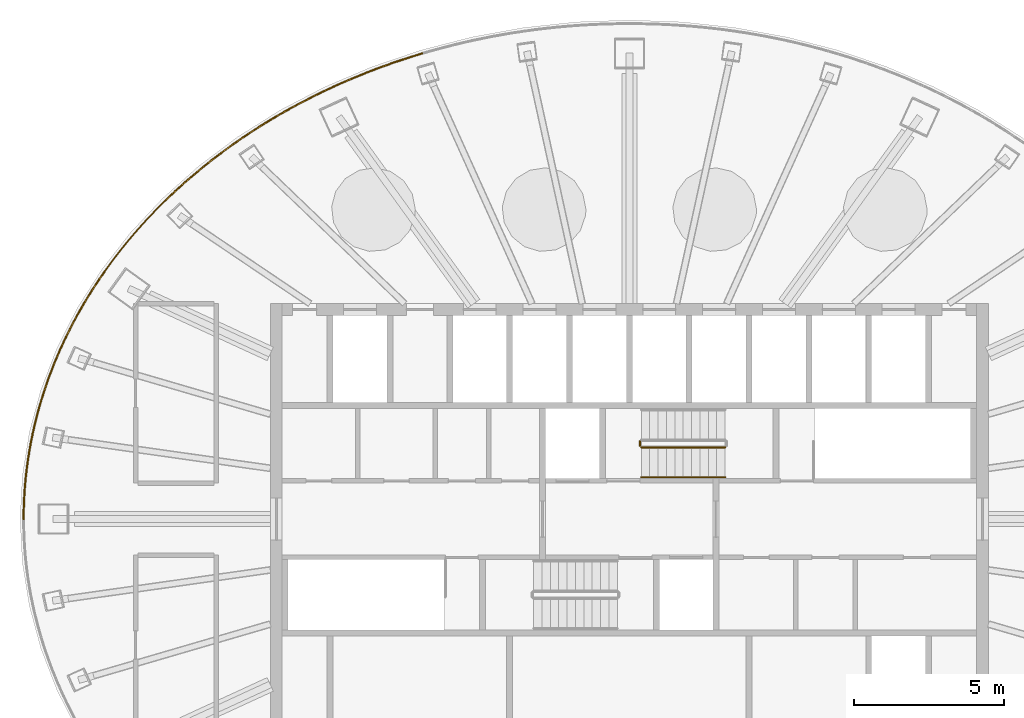
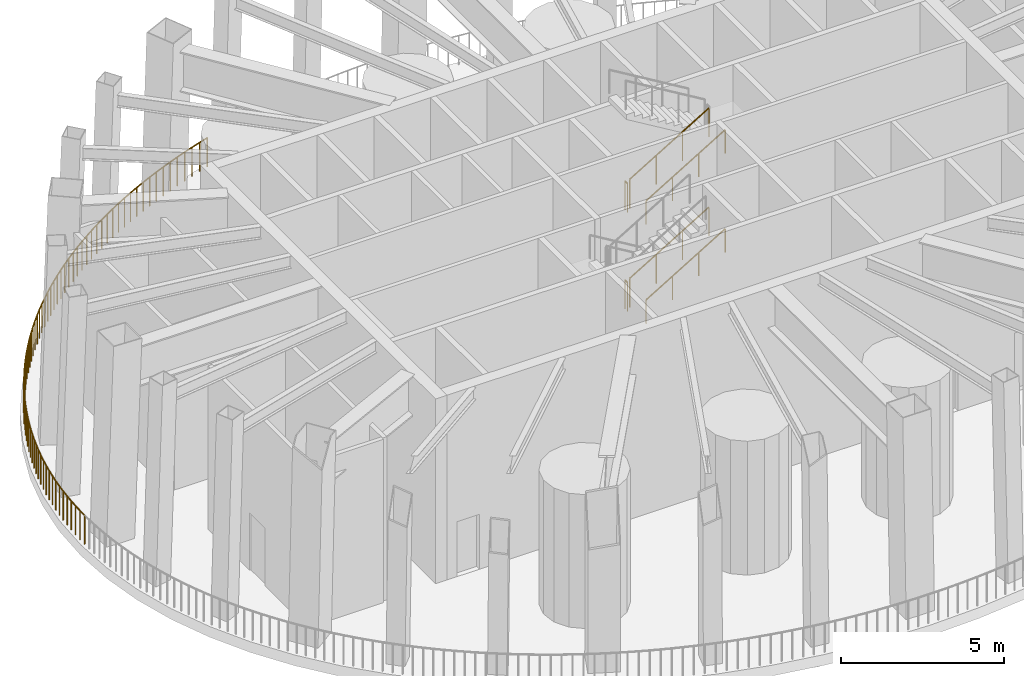
# One storey, part 8 of 12: 13 railings.
"""IFC4 building model written with IfcOpenShell, lengths in metres."""

from ifc_helpers import new_model, si_unit, direction, frame, origin, origin_2d, place, context, subcontext, project, spatial, circle, extrude, material, type_object, element, save


model = new_model("IFC4")

# Units and contexts
model_context = context("Model", 3, precision=1e-05, world=origin(), true_north=direction((0.0, 1.0)))
body_context = subcontext(model_context, "Body", "Model", "MODEL_VIEW")
ifc_project = project(units=[si_unit("LENGTHUNIT", "METRE"), si_unit("AREAUNIT", "SQUARE_METRE"), si_unit("VOLUMEUNIT", "CUBIC_METRE"), si_unit("PLANEANGLEUNIT", "RADIAN"), si_unit("MASSUNIT", "GRAM", prefix="KILO")], contexts=[model_context])

# Site, building, storey
site_placement = place(None, origin())
site = spatial("IfcSite", under=ifc_project, at=site_placement, CompositionType="ELEMENT")
building_placement = place(site_placement, origin())
building = spatial("IfcBuilding", under=site, at=building_placement, Name="Siaravel Broadcast Tower", CompositionType="ELEMENT")
storey_placement = place(building_placement, frame((0.0, 0.0, 265.199951171875)))
storey = spatial("IfcBuildingStorey", under=building, at=storey_placement, Name="L65", CompositionType="ELEMENT", Elevation=265.199951171875)

# Railings
ifc_material_1 = material(Name="Steel S355", Category="steel")
railing_type_1 = type_object("IfcRailingType", Name="Guard 1100", PredefinedType="GUARDRAIL", material=ifc_material_1)
railing_1_placement = place(storey_placement, frame((-6.923583984375, 15.561279296875, 0.0)))
element("IfcRailing", 1, at=railing_1_placement, inside=storey, type_object=railing_type_1, Name="L65 turbine slot guard 12", PredefinedType="GUARDRAIL", context=body_context, shape_type="SweptSolid", body=[
    extrude(circle(Radius=0.02392578125, at=origin_2d()), frame((0.0, 0.0, 1.076171875), z_axis=(-0.956417251, -0.292003497, 0.0), x_axis=(0.292003497, -0.956417251, 0.0)), (0.0, 0.0, 1.0), 0.34619140625),
    extrude(circle(Radius=0.02392578125, at=origin_2d()), frame((-0.3310546875, -0.10107421875, 1.076171875), z_axis=(-0.951748596, -0.306878819, 0.0), x_axis=(0.306878819, -0.951748596, 0.0)), (0.0, 0.0, 1.0), 0.34521484375),
    extrude(circle(Radius=0.02392578125, at=origin_2d()), frame((-0.65966796875, -0.20703125, 1.076171875), z_axis=(-0.9471862, -0.320684117, 0.0), x_axis=(0.320684117, -0.9471862, 0.0)), (0.0, 0.0, 1.0), 0.344970703125),
    extrude(circle(Radius=0.02392578125, at=origin_2d()), frame((-0.986328125, -0.317626953125, 1.076171875), z_axis=(-0.942174841, -0.335121722, 0.0), x_axis=(0.335121722, -0.942174841, 0.0)), (0.0, 0.0, 1.0), 0.34375),
    extrude(circle(Radius=0.02392578125, at=origin_2d()), frame((-1.310302734375, -0.432861328125, 1.076171875), z_axis=(-0.936999941, -0.349329515, 0.0), x_axis=(0.349329515, -0.936999941, 0.0)), (0.0, 0.0, 1.0), 0.34326171875),
    extrude(circle(Radius=0.02392578125, at=origin_2d()), frame((-1.6318359375, -0.552734375, 1.076171875), z_axis=(-0.931495114, -0.363753835, 0.0), x_axis=(0.363753835, -0.931495114, 0.0)), (0.0, 0.0, 1.0), 0.34228515625),
    extrude(circle(Radius=0.02392578125, at=origin_2d()), frame((-1.95068359375, -0.67724609375, 1.076171875), z_axis=(-0.925990537, -0.377546721, 0.0), x_axis=(0.377546721, -0.925990537, 0.0)), (0.0, 0.0, 1.0), 0.341552734375),
    extrude(circle(Radius=0.02392578125, at=origin_2d()), frame((-2.266845703125, -0.80615234375, 1.076171875), z_axis=(-0.919885104, -0.392187959, 0.0), x_axis=(0.392187959, -0.919885104, 0.0)), (0.0, 0.0, 1.0), 0.340576171875),
    extrude(circle(Radius=0.02392578125, at=origin_2d()), frame((-2.580078125, -0.939697265625, 1.076171875), z_axis=(-0.91390041, -0.405938468, 0.0), x_axis=(0.405938468, -0.91390041, 0.0)), (0.0, 0.0, 1.0), 0.33984375),
    extrude(circle(Radius=0.02392578125, at=origin_2d()), frame((-2.890625, -1.07763671875, 1.076171875), z_axis=(-0.907431283, -0.420200507, 0.0), x_axis=(0.420200507, -0.907431283, 0.0)), (0.0, 0.0, 1.0), 0.338623046875),
    extrude(circle(Radius=0.02099609375, at=origin_2d()), origin(), (0.0, 0.0, 1.0), 1.052001953125),
    extrude(circle(Radius=0.02099609375, at=origin_2d()), frame((-0.3310546875, -0.10107421875, 0.0)), (0.0, 0.0, 1.0), 1.052001953125),
    extrude(circle(Radius=0.02099609375, at=origin_2d()), frame((-0.65966796875, -0.20703125, 0.0)), (0.0, 0.0, 1.0), 1.052001953125),
    extrude(circle(Radius=0.02099609375, at=origin_2d()), frame((-0.986328125, -0.317626953125, 0.0)), (0.0, 0.0, 1.0), 1.052001953125),
    extrude(circle(Radius=0.02099609375, at=origin_2d()), frame((-1.310302734375, -0.432861328125, 0.0)), (0.0, 0.0, 1.0), 1.052001953125),
    extrude(circle(Radius=0.02099609375, at=origin_2d()), frame((-1.6318359375, -0.552734375, 0.0)), (0.0, 0.0, 1.0), 1.052001953125),
    extrude(circle(Radius=0.02099609375, at=origin_2d()), frame((-1.95068359375, -0.67724609375, 0.0)), (0.0, 0.0, 1.0), 1.052001953125),
    extrude(circle(Radius=0.02099609375, at=origin_2d()), frame((-2.266845703125, -0.80615234375, 0.0)), (0.0, 0.0, 1.0), 1.052001953125),
    extrude(circle(Radius=0.02099609375, at=origin_2d()), frame((-2.580078125, -0.939697265625, 0.0)), (0.0, 0.0, 1.0), 1.052001953125),
    extrude(circle(Radius=0.02099609375, at=origin_2d()), frame((-2.890625, -1.07763671875, 0.0)), (0.0, 0.0, 1.0), 1.052001953125),
    extrude(circle(Radius=0.02099609375, at=origin_2d()), frame((-3.197998046875, -1.219970703125, 0.0)), (0.0, 0.0, 1.0), 1.052001953125),
])
railing_2_placement = place(storey_placement, frame((-10.12158203125, 14.34130859375, 0.0)))
element("IfcRailing", 2, at=railing_2_placement, inside=storey, type_object=railing_type_1, Name="L65 turbine slot guard 13", PredefinedType="GUARDRAIL", context=body_context, shape_type="SweptSolid", body=[
    extrude(circle(Radius=0.02392578125, at=origin_2d()), frame((0.0, 0.0, 1.076171875), z_axis=(-0.900970314, -0.433880736, 0.0), x_axis=(0.433880736, -0.900970314, 0.0)), (0.0, 0.0, 1.0), 0.338134765625),
    extrude(circle(Radius=0.02392578125, at=origin_2d()), frame((-0.3046875, -0.146728515625, 1.076171875), z_axis=(-0.893991735, -0.448083449, 0.0), x_axis=(0.448083449, -0.893991735, 0.0)), (0.0, 0.0, 1.0), 0.336669921875),
    extrude(circle(Radius=0.02392578125, at=origin_2d()), frame((-0.605712890625, -0.297607421875, 1.076171875), z_axis=(-0.886895484, -0.461970129, 0.0), x_axis=(0.461970129, -0.886895484, 0.0)), (0.0, 0.0, 1.0), 0.336181640625),
    extrude(circle(Radius=0.02392578125, at=origin_2d()), frame((-0.90380859375, -0.452880859375, 1.076171875), z_axis=(-0.879533447, -0.475837068, 0.0), x_axis=(0.475837068, -0.879533447, 0.0)), (0.0, 0.0, 1.0), 0.3349609375),
    extrude(circle(Radius=0.02392578125, at=origin_2d()), frame((-1.198486328125, -0.6123046875, 1.076171875), z_axis=(-0.871419303, -0.490538886, 0.0), x_axis=(0.490538886, -0.871419303, 0.0)), (0.0, 0.0, 1.0), 0.333984375),
    extrude(circle(Radius=0.02392578125, at=origin_2d()), frame((-1.489501953125, -0.776123046875, 1.076171875), z_axis=(-0.863512914, -0.504326727, 0.0), x_axis=(0.504326727, -0.863512914, 0.0)), (0.0, 0.0, 1.0), 0.3330078125),
    extrude(circle(Radius=0.02392578125, at=origin_2d()), frame((-1.777099609375, -0.944091796875, 1.076171875), z_axis=(-0.855671422, -0.517519485, 0.0), x_axis=(0.517519485, -0.855671422, 0.0)), (0.0, 0.0, 1.0), 0.33203125),
    extrude(circle(Radius=0.02392578125, at=origin_2d()), frame((-2.061279296875, -1.115966796875, 1.076171875), z_axis=(-0.847168107, -0.531324945, 0.0), x_axis=(0.531324945, -0.847168107, 0.0)), (0.0, 0.0, 1.0), 0.330810546875),
    extrude(circle(Radius=0.02392578125, at=origin_2d()), frame((-2.341552734375, -1.291748046875, 1.076171875), z_axis=(-0.837698917, -0.546132333, 0.0), x_axis=(0.546132333, -0.837698917, 0.0)), (0.0, 0.0, 1.0), 0.329833984375),
    extrude(circle(Radius=0.02392578125, at=origin_2d()), frame((-2.617919921875, -1.471923828125, 1.076171875), z_axis=(-0.829528203, -0.558464824, 0.0), x_axis=(0.558464824, -0.829528203, 0.0)), (0.0, 0.0, 1.0), 0.328857421875),
    extrude(circle(Radius=0.02099609375, at=origin_2d()), origin(), (0.0, 0.0, 1.0), 1.052001953125),
    extrude(circle(Radius=0.02099609375, at=origin_2d()), frame((-0.3046875, -0.146728515625, 0.0)), (0.0, 0.0, 1.0), 1.052001953125),
    extrude(circle(Radius=0.02099609375, at=origin_2d()), frame((-0.605712890625, -0.297607421875, 0.0)), (0.0, 0.0, 1.0), 1.052001953125),
    extrude(circle(Radius=0.02099609375, at=origin_2d()), frame((-0.90380859375, -0.452880859375, 0.0)), (0.0, 0.0, 1.0), 1.052001953125),
    extrude(circle(Radius=0.02099609375, at=origin_2d()), frame((-1.198486328125, -0.6123046875, 0.0)), (0.0, 0.0, 1.0), 1.052001953125),
    extrude(circle(Radius=0.02099609375, at=origin_2d()), frame((-1.489501953125, -0.776123046875, 0.0)), (0.0, 0.0, 1.0), 1.052001953125),
    extrude(circle(Radius=0.02099609375, at=origin_2d()), frame((-1.777099609375, -0.944091796875, 0.0)), (0.0, 0.0, 1.0), 1.052001953125),
    extrude(circle(Radius=0.02099609375, at=origin_2d()), frame((-2.061279296875, -1.115966796875, 0.0)), (0.0, 0.0, 1.0), 1.052001953125),
    extrude(circle(Radius=0.02099609375, at=origin_2d()), frame((-2.341552734375, -1.291748046875, 0.0)), (0.0, 0.0, 1.0), 1.052001953125),
    extrude(circle(Radius=0.02099609375, at=origin_2d()), frame((-2.617919921875, -1.471923828125, 0.0)), (0.0, 0.0, 1.0), 1.052001953125),
    extrude(circle(Radius=0.02099609375, at=origin_2d()), frame((-2.890625, -1.655517578125, 0.0)), (0.0, 0.0, 1.0), 1.052001953125),
])
railing_3_placement = place(storey_placement, frame((-13.01220703125, 12.685791015625, 0.0)))
element("IfcRailing", 3, at=railing_3_placement, inside=storey, type_object=railing_type_1, Name="L65 turbine slot guard 14", PredefinedType="GUARDRAIL", context=body_context, shape_type="SweptSolid", body=[
    extrude(circle(Radius=0.02392578125, at=origin_2d()), frame((0.0, 0.0, 1.076171875), z_axis=(-0.819826176, -0.57261247, 0.0), x_axis=(0.57261247, -0.819826176, 0.0)), (0.0, 0.0, 1.0), 0.327880859375),
    extrude(circle(Radius=0.02392578125, at=origin_2d()), frame((-0.268798828125, -0.187744140625, 1.076171875), z_axis=(-0.809672613, -0.586881811, 0.0), x_axis=(0.586881811, -0.809672613, 0.0)), (0.0, 0.0, 1.0), 0.32666015625),
    extrude(circle(Radius=0.02392578125, at=origin_2d()), frame((-0.533203125, -0.37939453125, 1.076171875), z_axis=(-0.800089973, -0.599880017, 0.0), x_axis=(0.599880017, -0.800089973, 0.0)), (0.0, 0.0, 1.0), 0.32568359375),
    extrude(circle(Radius=0.02392578125, at=origin_2d()), frame((-0.793701171875, -0.57470703125, 1.076171875), z_axis=(-0.790323933, -0.61268922, 0.0), x_axis=(0.61268922, -0.790323933, 0.0)), (0.0, 0.0, 1.0), 0.324462890625),
    extrude(circle(Radius=0.02392578125, at=origin_2d()), frame((-1.050048828125, -0.7734375, 1.076171875), z_axis=(-0.779245516, -0.626718777, 0.0), x_axis=(0.626718777, -0.779245516, 0.0)), (0.0, 0.0, 1.0), 0.3232421875),
    extrude(circle(Radius=0.02392578125, at=origin_2d()), frame((-1.302001953125, -0.97607421875, 1.076171875), z_axis=(-0.768531507, -0.639811944, 0.0), x_axis=(0.639811944, -0.768531507, 0.0)), (0.0, 0.0, 1.0), 0.322509765625),
    extrude(circle(Radius=0.02392578125, at=origin_2d()), frame((-1.5498046875, -1.182373046875, 1.076171875), z_axis=(-0.757643412, -0.652668722, 0.0), x_axis=(0.652668722, -0.757643412, 0.0)), (0.0, 0.0, 1.0), 0.321044921875),
    extrude(circle(Radius=0.02392578125, at=origin_2d()), frame((-1.79296875, -1.391845703125, 1.076171875), z_axis=(-0.746018863, -0.665924813, 0.0), x_axis=(0.665924813, -0.746018863, 0.0)), (0.0, 0.0, 1.0), 0.320068359375),
    extrude(circle(Radius=0.02392578125, at=origin_2d()), frame((-2.03173828125, -1.60498046875, 1.076171875), z_axis=(-0.734128059, -0.679011041, 0.0), x_axis=(0.679011041, -0.734128059, 0.0)), (0.0, 0.0, 1.0), 0.31884765625),
    extrude(circle(Radius=0.02392578125, at=origin_2d()), frame((-2.265869140625, -1.821533203125, 1.076171875), z_axis=(-0.721940194, -0.691955458, 0.0), x_axis=(0.691955458, -0.721940194, 0.0)), (0.0, 0.0, 1.0), 0.317626953125),
    extrude(circle(Radius=0.02099609375, at=origin_2d()), origin(), (0.0, 0.0, 1.0), 1.052001953125),
    extrude(circle(Radius=0.02099609375, at=origin_2d()), frame((-0.268798828125, -0.187744140625, 0.0)), (0.0, 0.0, 1.0), 1.052001953125),
    extrude(circle(Radius=0.02099609375, at=origin_2d()), frame((-0.533203125, -0.37939453125, 0.0)), (0.0, 0.0, 1.0), 1.052001953125),
    extrude(circle(Radius=0.02099609375, at=origin_2d()), frame((-0.793701171875, -0.57470703125, 0.0)), (0.0, 0.0, 1.0), 1.052001953125),
    extrude(circle(Radius=0.02099609375, at=origin_2d()), frame((-1.050048828125, -0.7734375, 0.0)), (0.0, 0.0, 1.0), 1.052001953125),
    extrude(circle(Radius=0.02099609375, at=origin_2d()), frame((-1.302001953125, -0.97607421875, 0.0)), (0.0, 0.0, 1.0), 1.052001953125),
    extrude(circle(Radius=0.02099609375, at=origin_2d()), frame((-1.5498046875, -1.182373046875, 0.0)), (0.0, 0.0, 1.0), 1.052001953125),
    extrude(circle(Radius=0.02099609375, at=origin_2d()), frame((-1.79296875, -1.391845703125, 0.0)), (0.0, 0.0, 1.0), 1.052001953125),
    extrude(circle(Radius=0.02099609375, at=origin_2d()), frame((-2.03173828125, -1.60498046875, 0.0)), (0.0, 0.0, 1.0), 1.052001953125),
    extrude(circle(Radius=0.02099609375, at=origin_2d()), frame((-2.265869140625, -1.821533203125, 0.0)), (0.0, 0.0, 1.0), 1.052001953125),
    extrude(circle(Radius=0.02099609375, at=origin_2d()), frame((-2.4951171875, -2.041259765625, 0.0)), (0.0, 0.0, 1.0), 1.052001953125),
])
railing_4_placement = place(storey_placement, frame((-15.50732421875, 10.64453125, 0.0)))
element("IfcRailing", 4, at=railing_4_placement, inside=storey, type_object=railing_type_1, Name="L65 turbine slot guard 15", PredefinedType="GUARDRAIL", context=body_context, shape_type="SweptSolid", body=[
    extrude(circle(Radius=0.02392578125, at=origin_2d()), frame((0.0, 0.0, 1.076171875), z_axis=(-0.709799027, -0.704404246, 0.0), x_axis=(0.704404246, -0.709799027, 0.0)), (0.0, 0.0, 1.0), 0.31689453125),
    extrude(circle(Radius=0.02392578125, at=origin_2d()), frame((-0.224853515625, -0.22314453125, 1.076171875), z_axis=(-0.697365706, -0.716715475, 0.0), x_axis=(0.716715475, -0.697365706, 0.0)), (0.0, 0.0, 1.0), 0.3154296875),
    extrude(circle(Radius=0.02392578125, at=origin_2d()), frame((-0.44482421875, -0.44921875, 1.076171875), z_axis=(-0.684225255, -0.729270732, 0.0), x_axis=(0.729270732, -0.684225255, 0.0)), (0.0, 0.0, 1.0), 0.314453125),
    extrude(circle(Radius=0.02392578125, at=origin_2d()), frame((-0.659912109375, -0.678466796875, 1.076171875), z_axis=(-0.670341645, -0.742052612, 0.0), x_axis=(0.742052612, -0.670341645, 0.0)), (0.0, 0.0, 1.0), 0.313232421875),
    extrude(circle(Radius=0.02392578125, at=origin_2d()), frame((-0.869873046875, -0.910888671875, 1.076171875), z_axis=(-0.657397085, -0.75354434, 0.0), x_axis=(0.75354434, -0.657397085, 0.0)), (0.0, 0.0, 1.0), 0.312255859375),
    extrude(circle(Radius=0.02392578125, at=origin_2d()), frame((-1.0751953125, -1.146240234375, 1.076171875), z_axis=(-0.643652185, -0.765318146, 0.0), x_axis=(0.765318146, -0.643652185, 0.0)), (0.0, 0.0, 1.0), 0.31103515625),
    extrude(circle(Radius=0.02392578125, at=origin_2d()), frame((-1.275390625, -1.38427734375, 1.076171875), z_axis=(-0.628722149, -0.777630027, 0.0), x_axis=(0.777630027, -0.628722149, 0.0)), (0.0, 0.0, 1.0), 0.309814453125),
    extrude(circle(Radius=0.02392578125, at=origin_2d()), frame((-1.47021484375, -1.625244140625, 1.076171875), z_axis=(-0.614432575, -0.788969335, 0.0), x_axis=(0.788969335, -0.614432575, 0.0)), (0.0, 0.0, 1.0), 0.30908203125),
    extrude(circle(Radius=0.02392578125, at=origin_2d()), frame((-1.66015625, -1.869140625, 1.076171875), z_axis=(-0.599619221, -0.800285442, 0.0), x_axis=(0.800285442, -0.599619221, 0.0)), (0.0, 0.0, 1.0), 0.307861328125),
    extrude(circle(Radius=0.02392578125, at=origin_2d()), frame((-1.8447265625, -2.115478515625, 1.076171875), z_axis=(-0.584618987, -0.811307981, 0.0), x_axis=(0.811307981, -0.584618987, 0.0)), (0.0, 0.0, 1.0), 0.306884765625),
    extrude(circle(Radius=0.02099609375, at=origin_2d()), origin(), (0.0, 0.0, 1.0), 1.052001953125),
    extrude(circle(Radius=0.02099609375, at=origin_2d()), frame((-0.224853515625, -0.22314453125, 0.0)), (0.0, 0.0, 1.0), 1.052001953125),
    extrude(circle(Radius=0.02099609375, at=origin_2d()), frame((-0.44482421875, -0.44921875, 0.0)), (0.0, 0.0, 1.0), 1.052001953125),
    extrude(circle(Radius=0.02099609375, at=origin_2d()), frame((-0.659912109375, -0.678466796875, 0.0)), (0.0, 0.0, 1.0), 1.052001953125),
    extrude(circle(Radius=0.02099609375, at=origin_2d()), frame((-0.869873046875, -0.910888671875, 0.0)), (0.0, 0.0, 1.0), 1.052001953125),
    extrude(circle(Radius=0.02099609375, at=origin_2d()), frame((-1.0751953125, -1.146240234375, 0.0)), (0.0, 0.0, 1.0), 1.052001953125),
    extrude(circle(Radius=0.02099609375, at=origin_2d()), frame((-1.275390625, -1.38427734375, 0.0)), (0.0, 0.0, 1.0), 1.052001953125),
    extrude(circle(Radius=0.02099609375, at=origin_2d()), frame((-1.47021484375, -1.625244140625, 0.0)), (0.0, 0.0, 1.0), 1.052001953125),
    extrude(circle(Radius=0.02099609375, at=origin_2d()), frame((-1.66015625, -1.869140625, 0.0)), (0.0, 0.0, 1.0), 1.052001953125),
    extrude(circle(Radius=0.02099609375, at=origin_2d()), frame((-1.8447265625, -2.115478515625, 0.0)), (0.0, 0.0, 1.0), 1.052001953125),
    extrude(circle(Radius=0.02099609375, at=origin_2d()), frame((-2.024169921875, -2.364501953125, 0.0)), (0.0, 0.0, 1.0), 1.052001953125),
])
railing_5_placement = place(storey_placement, frame((-17.531494140625, 8.280029296875, 0.0)))
element("IfcRailing", 5, at=railing_5_placement, inside=storey, type_object=railing_type_1, Name="L65 turbine slot guard 16", PredefinedType="GUARDRAIL", context=body_context, shape_type="SweptSolid", body=[
    extrude(circle(Radius=0.02392578125, at=origin_2d()), frame((0.0, 0.0, 1.076171875), z_axis=(-0.568255054, -0.822852473, 0.0), x_axis=(0.822852473, -0.568255054, 0.0)), (0.0, 0.0, 1.0), 0.305908203125),
    extrude(circle(Radius=0.02392578125, at=origin_2d()), frame((-0.173828125, -0.251708984375, 1.076171875), z_axis=(-0.552849831, -0.833280904, 0.0), x_axis=(0.833280904, -0.552849831, 0.0)), (0.0, 0.0, 1.0), 0.3046875),
    extrude(circle(Radius=0.02392578125, at=origin_2d()), frame((-0.34228515625, -0.505615234375, 1.076171875), z_axis=(-0.537343158, -0.8433637, 0.0), x_axis=(0.8433637, -0.537343158, 0.0)), (0.0, 0.0, 1.0), 0.303955078125),
    extrude(circle(Radius=0.02392578125, at=origin_2d()), frame((-0.505615234375, -0.761962890625, 1.076171875), z_axis=(-0.520177191, -0.854058365, 0.0), x_axis=(0.854058365, -0.520177191, 0.0)), (0.0, 0.0, 1.0), 0.302734375),
    extrude(circle(Radius=0.02392578125, at=origin_2d()), frame((-0.6630859375, -1.0205078125, 1.076171875), z_axis=(-0.503519221, -0.863984024, 0.0), x_axis=(0.863984024, -0.503519221, 0.0)), (0.0, 0.0, 1.0), 0.302001953125),
    extrude(circle(Radius=0.02392578125, at=origin_2d()), frame((-0.815185546875, -1.281494140625, 1.076171875), z_axis=(-0.487294272, -0.873237821, 0.0), x_axis=(0.873237821, -0.487294272, 0.0)), (0.0, 0.0, 1.0), 0.301025390625),
    extrude(circle(Radius=0.02392578125, at=origin_2d()), frame((-0.9619140625, -1.54443359375, 1.076171875), z_axis=(-0.469194862, -0.883094662, 0.0), x_axis=(0.883094662, -0.469194862, 0.0)), (0.0, 0.0, 1.0), 0.30029296875),
    extrude(circle(Radius=0.02392578125, at=origin_2d()), frame((-1.102783203125, -1.8095703125, 1.076171875), z_axis=(-0.451453693, -0.89229455, 0.0), x_axis=(0.89229455, -0.451453693, 0.0)), (0.0, 0.0, 1.0), 0.299072265625),
    extrude(circle(Radius=0.02392578125, at=origin_2d()), frame((-1.23779296875, -2.076416015625, 1.076171875), z_axis=(-0.434085971, -0.90087145, 0.0), x_axis=(0.90087145, -0.434085971, 0.0)), (0.0, 0.0, 1.0), 0.298583984375),
    extrude(circle(Radius=0.02392578125, at=origin_2d()), frame((-1.367431640625, -2.345458984375, 1.076171875), z_axis=(-0.415779141, -0.909465616, 0.0), x_axis=(0.909465616, -0.415779141, 0.0)), (0.0, 0.0, 1.0), 0.297607421875),
    extrude(circle(Radius=0.02099609375, at=origin_2d()), origin(), (0.0, 0.0, 1.0), 1.052001953125),
    extrude(circle(Radius=0.02099609375, at=origin_2d()), frame((-0.173828125, -0.251708984375, 0.0)), (0.0, 0.0, 1.0), 1.052001953125),
    extrude(circle(Radius=0.02099609375, at=origin_2d()), frame((-0.34228515625, -0.505615234375, 0.0)), (0.0, 0.0, 1.0), 1.052001953125),
    extrude(circle(Radius=0.02099609375, at=origin_2d()), frame((-0.505615234375, -0.761962890625, 0.0)), (0.0, 0.0, 1.0), 1.052001953125),
    extrude(circle(Radius=0.02099609375, at=origin_2d()), frame((-0.6630859375, -1.0205078125, 0.0)), (0.0, 0.0, 1.0), 1.052001953125),
    extrude(circle(Radius=0.02099609375, at=origin_2d()), frame((-0.815185546875, -1.281494140625, 0.0)), (0.0, 0.0, 1.0), 1.052001953125),
    extrude(circle(Radius=0.02099609375, at=origin_2d()), frame((-0.9619140625, -1.54443359375, 0.0)), (0.0, 0.0, 1.0), 1.052001953125),
    extrude(circle(Radius=0.02099609375, at=origin_2d()), frame((-1.102783203125, -1.8095703125, 0.0)), (0.0, 0.0, 1.0), 1.052001953125),
    extrude(circle(Radius=0.02099609375, at=origin_2d()), frame((-1.23779296875, -2.076416015625, 0.0)), (0.0, 0.0, 1.0), 1.052001953125),
    extrude(circle(Radius=0.02099609375, at=origin_2d()), frame((-1.367431640625, -2.345458984375, 0.0)), (0.0, 0.0, 1.0), 1.052001953125),
    extrude(circle(Radius=0.02099609375, at=origin_2d()), frame((-1.4912109375, -2.6162109375, 0.0)), (0.0, 0.0, 1.0), 1.052001953125),
])
railing_6_placement = place(storey_placement, frame((-19.022705078125, 5.663818359375, 0.0)))
element("IfcRailing", 6, at=railing_6_placement, inside=storey, type_object=railing_type_1, Name="L65 turbine slot guard 17", PredefinedType="GUARDRAIL", context=body_context, shape_type="SweptSolid", body=[
    extrude(circle(Radius=0.02392578125, at=origin_2d()), frame((0.0, 0.0, 1.076171875), z_axis=(-0.397191994, -0.917735539, 0.0), x_axis=(0.917735539, -0.397191994, 0.0)), (0.0, 0.0, 1.0), 0.296875),
    extrude(circle(Radius=0.02392578125, at=origin_2d()), frame((-0.117919921875, -0.2724609375, 1.076171875), z_axis=(-0.378343965, -0.925665082, 0.0), x_axis=(0.925665082, -0.378343965, 0.0)), (0.0, 0.0, 1.0), 0.296142578125),
    extrude(circle(Radius=0.02392578125, at=origin_2d()), frame((-0.22998046875, -0.546630859375, 1.076171875), z_axis=(-0.359810351, -0.933025461, 0.0), x_axis=(0.933025461, -0.359810351, 0.0)), (0.0, 0.0, 1.0), 0.295166015625),
    extrude(circle(Radius=0.02392578125, at=origin_2d()), frame((-0.336181640625, -0.822021484375, 1.076171875), z_axis=(-0.340478966, -0.940252133, 0.0), x_axis=(0.940252133, -0.340478966, 0.0)), (0.0, 0.0, 1.0), 0.294677734375),
    extrude(circle(Radius=0.02392578125, at=origin_2d()), frame((-0.4365234375, -1.09912109375, 1.076171875), z_axis=(-0.320951026, -0.947095792, 0.0), x_axis=(0.947095792, -0.320951026, 0.0)), (0.0, 0.0, 1.0), 0.29443359375),
    extrude(circle(Radius=0.02392578125, at=origin_2d()), frame((-0.531005859375, -1.3779296875, 1.076171875), z_axis=(-0.301211011, -0.953557511, 0.0), x_axis=(0.953557511, -0.301211011, 0.0)), (0.0, 0.0, 1.0), 0.29345703125),
    extrude(circle(Radius=0.02392578125, at=origin_2d()), frame((-0.619384765625, -1.65771484375, 1.076171875), z_axis=(-0.281760113, -0.959484882, 0.0), x_axis=(0.959484882, -0.281760113, 0.0)), (0.0, 0.0, 1.0), 0.29296875),
    extrude(circle(Radius=0.02392578125, at=origin_2d()), frame((-0.701904296875, -1.938720703125, 1.076171875), z_axis=(-0.261561451, -0.965186825, 0.0), x_axis=(0.965186825, -0.261561451, 0.0)), (0.0, 0.0, 1.0), 0.292236328125),
    extrude(circle(Radius=0.02392578125, at=origin_2d()), frame((-0.7783203125, -2.220703125, 1.076171875), z_axis=(-0.241748252, -0.970339004, 0.0), x_axis=(0.970339004, -0.241748252, 0.0)), (0.0, 0.0, 1.0), 0.291748046875),
    extrude(circle(Radius=0.02392578125, at=origin_2d()), frame((-0.848876953125, -2.50390625, 1.076171875), z_axis=(-0.221005948, -0.97527246, 0.0), x_axis=(0.97527246, -0.221005948, 0.0)), (0.0, 0.0, 1.0), 0.291748046875),
    extrude(circle(Radius=0.02099609375, at=origin_2d()), origin(), (0.0, 0.0, 1.0), 1.052001953125),
    extrude(circle(Radius=0.02099609375, at=origin_2d()), frame((-0.117919921875, -0.2724609375, 0.0)), (0.0, 0.0, 1.0), 1.052001953125),
    extrude(circle(Radius=0.02099609375, at=origin_2d()), frame((-0.22998046875, -0.546630859375, 0.0)), (0.0, 0.0, 1.0), 1.052001953125),
    extrude(circle(Radius=0.02099609375, at=origin_2d()), frame((-0.336181640625, -0.822021484375, 0.0)), (0.0, 0.0, 1.0), 1.052001953125),
    extrude(circle(Radius=0.02099609375, at=origin_2d()), frame((-0.4365234375, -1.09912109375, 0.0)), (0.0, 0.0, 1.0), 1.052001953125),
    extrude(circle(Radius=0.02099609375, at=origin_2d()), frame((-0.531005859375, -1.3779296875, 0.0)), (0.0, 0.0, 1.0), 1.052001953125),
    extrude(circle(Radius=0.02099609375, at=origin_2d()), frame((-0.619384765625, -1.65771484375, 0.0)), (0.0, 0.0, 1.0), 1.052001953125),
    extrude(circle(Radius=0.02099609375, at=origin_2d()), frame((-0.701904296875, -1.938720703125, 0.0)), (0.0, 0.0, 1.0), 1.052001953125),
    extrude(circle(Radius=0.02099609375, at=origin_2d()), frame((-0.7783203125, -2.220703125, 0.0)), (0.0, 0.0, 1.0), 1.052001953125),
    extrude(circle(Radius=0.02099609375, at=origin_2d()), frame((-0.848876953125, -2.50390625, 0.0)), (0.0, 0.0, 1.0), 1.052001953125),
    extrude(circle(Radius=0.02099609375, at=origin_2d()), frame((-0.913330078125, -2.788330078125, 0.0)), (0.0, 0.0, 1.0), 1.052001953125),
])
railing_7_placement = place(storey_placement, frame((-19.93603515625, 2.87548828125, 0.0)))
element("IfcRailing", 7, at=railing_7_placement, inside=storey, type_object=railing_type_1, Name="L65 turbine slot guard 18", PredefinedType="GUARDRAIL", context=body_context, shape_type="SweptSolid", body=[
    extrude(circle(Radius=0.02392578125, at=origin_2d()), frame((0.0, 0.0, 1.076171875), z_axis=(-0.200634296, -0.979666208, 0.0), x_axis=(0.979666208, -0.200634296, 0.0)), (0.0, 0.0, 1.0), 0.290771484375),
    extrude(circle(Radius=0.02392578125, at=origin_2d()), frame((-0.058349609375, -0.284912109375, 1.076171875), z_axis=(-0.178959374, -0.983856464, 0.0), x_axis=(0.983856464, -0.178959374, 0.0)), (0.0, 0.0, 1.0), 0.29052734375),
    extrude(circle(Radius=0.02392578125, at=origin_2d()), frame((-0.1103515625, -0.57080078125, 1.076171875), z_axis=(-0.159073665, -0.987266716, 0.0), x_axis=(0.987266716, -0.159073665, 0.0)), (0.0, 0.0, 1.0), 0.2900390625),
    extrude(circle(Radius=0.02392578125, at=origin_2d()), frame((-0.156494140625, -0.857177734375, 1.076171875), z_axis=(-0.138004072, -0.990431662, 0.0), x_axis=(0.990431662, -0.138004072, 0.0)), (0.0, 0.0, 1.0), 0.2900390625),
    extrude(circle(Radius=0.02392578125, at=origin_2d()), frame((-0.196533203125, -1.14453125, 1.076171875), z_axis=(-0.117183639, -0.993110263, 0.0), x_axis=(0.993110263, -0.117183639, 0.0)), (0.0, 0.0, 1.0), 0.28955078125),
    extrude(circle(Radius=0.02392578125, at=origin_2d()), frame((-0.23046875, -1.43212890625, 1.076171875), z_axis=(-0.095326613, -0.995446049, 0.0), x_axis=(0.995446049, -0.095326613, 0.0)), (0.0, 0.0, 1.0), 0.289306640625),
    extrude(circle(Radius=0.02392578125, at=origin_2d()), frame((-0.258056640625, -1.72021484375, 1.076171875), z_axis=(-0.075083566, -0.997177245, 0.0), x_axis=(0.997177245, -0.075083566, 0.0)), (0.0, 0.0, 1.0), 0.289306640625),
    extrude(circle(Radius=0.02392578125, at=origin_2d()), frame((-0.27978515625, -2.0087890625, 1.076171875), z_axis=(-0.053179082, -0.998584991, 0.0), x_axis=(0.998584991, -0.053179082, 0.0)), (0.0, 0.0, 1.0), 0.289306640625),
    extrude(circle(Radius=0.02392578125, at=origin_2d()), frame((-0.295166015625, -2.297607421875, 1.076171875), z_axis=(-0.032105166, -0.999484496, 0.0), x_axis=(0.999484496, -0.032105166, 0.0)), (0.0, 0.0, 1.0), 0.2890625),
    extrude(circle(Radius=0.02392578125, at=origin_2d()), frame((-0.304443359375, -2.58642578125, 1.076171875), z_axis=(-0.010134615, -0.999948643, 0.0), x_axis=(0.999948643, -0.010134615, 0.0)), (0.0, 0.0, 1.0), 0.2890625),
    extrude(circle(Radius=0.02099609375, at=origin_2d()), origin(), (0.0, 0.0, 1.0), 1.052001953125),
    extrude(circle(Radius=0.02099609375, at=origin_2d()), frame((-0.058349609375, -0.284912109375, 0.0)), (0.0, 0.0, 1.0), 1.052001953125),
    extrude(circle(Radius=0.02099609375, at=origin_2d()), frame((-0.1103515625, -0.57080078125, 0.0)), (0.0, 0.0, 1.0), 1.052001953125),
    extrude(circle(Radius=0.02099609375, at=origin_2d()), frame((-0.156494140625, -0.857177734375, 0.0)), (0.0, 0.0, 1.0), 1.052001953125),
    extrude(circle(Radius=0.02099609375, at=origin_2d()), frame((-0.196533203125, -1.14453125, 0.0)), (0.0, 0.0, 1.0), 1.052001953125),
    extrude(circle(Radius=0.02099609375, at=origin_2d()), frame((-0.23046875, -1.43212890625, 0.0)), (0.0, 0.0, 1.0), 1.052001953125),
    extrude(circle(Radius=0.02099609375, at=origin_2d()), frame((-0.258056640625, -1.72021484375, 0.0)), (0.0, 0.0, 1.0), 1.052001953125),
    extrude(circle(Radius=0.02099609375, at=origin_2d()), frame((-0.27978515625, -2.0087890625, 0.0)), (0.0, 0.0, 1.0), 1.052001953125),
    extrude(circle(Radius=0.02099609375, at=origin_2d()), frame((-0.295166015625, -2.297607421875, 0.0)), (0.0, 0.0, 1.0), 1.052001953125),
    extrude(circle(Radius=0.02099609375, at=origin_2d()), frame((-0.304443359375, -2.58642578125, 0.0)), (0.0, 0.0, 1.0), 1.052001953125),
    extrude(circle(Radius=0.02099609375, at=origin_2d()), frame((-0.307373046875, -2.87548828125, 0.0)), (0.0, 0.0, 1.0), 1.052001953125),
])
ifc_material_2 = material(Name="Stainless steel 316L", Category="steel")
railing_type_2 = type_object("IfcRailingType", Name="Stair guard 1100", PredefinedType="GUARDRAIL", material=ifc_material_2)
railing_8_placement = place(storey_placement, frame((0.39990234375, 2.39990234375, 0.168212890625)))
element("IfcRailing", 8, at=railing_8_placement, inside=storey, type_object=railing_type_2, Name="L65 ST-C1 stair guard 1", PredefinedType="GUARDRAIL", context=body_context, shape_type="SweptSolid", body=[
    extrude(circle(Radius=0.02392578125, at=origin_2d()), frame((0.0, 0.0, 1.076171875), z_axis=(0.857242211, 0.0, 0.514913383), x_axis=(0.0, 1.0, 0.0)), (0.0, 0.0, 1.0), 3.266357421875),
    extrude(circle(Radius=0.02099609375, at=origin_2d()), origin(), (0.0, 0.0, 1.0), 1.052001953125),
    extrude(circle(Radius=0.02099609375, at=origin_2d()), frame((0.933349609375, 0.0, 0.560546875)), (0.0, 0.0, 1.0), 1.052001953125),
    extrude(circle(Radius=0.02099609375, at=origin_2d()), frame((1.86669921875, 0.0, 1.121337890625)), (0.0, 0.0, 1.0), 1.052001953125),
    extrude(circle(Radius=0.02099609375, at=origin_2d()), frame((2.800048828125, 0.0, 1.681884765625)), (0.0, 0.0, 1.0), 1.052001953125),
])
railing_9_placement = place(storey_placement, frame((0.35009765625, 2.449951171875, 3.699951171875)))
element("IfcRailing", 9, at=railing_9_placement, inside=storey, type_object=railing_type_2, Name="L65 ST-C1 stair guard 4", PredefinedType="GUARDRAIL", context=body_context, shape_type="SweptSolid", body=[
    extrude(circle(Radius=0.02392578125, at=origin_2d()), frame((0.0, 0.0, 1.076171875), z_axis=(0.0, 1.0, 0.0), x_axis=(-1.0, 0.0, 0.0)), (0.0, 0.0, 1.0), 0.150146484375),
    extrude(circle(Radius=0.02099609375, at=origin_2d()), origin(), (0.0, 0.0, 1.0), 1.052001953125),
    extrude(circle(Radius=0.02099609375, at=origin_2d()), frame((0.0, 0.150146484375, 0.0)), (0.0, 0.0, 1.0), 1.052001953125),
])
railing_10_placement = place(storey_placement, frame((0.39990234375, 2.39990234375, 3.8681640625)))
element("IfcRailing", 10, at=railing_10_placement, inside=storey, type_object=railing_type_2, Name="L65 ST-C1 stair guard 5", PredefinedType="GUARDRAIL", context=body_context, shape_type="SweptSolid", body=[
    extrude(circle(Radius=0.02392578125, at=origin_2d()), frame((0.0, 0.0, 1.076171875), z_axis=(0.857242211, 0.0, 0.514913383), x_axis=(0.0, 1.0, 0.0)), (0.0, 0.0, 1.0), 3.266357421875),
    extrude(circle(Radius=0.02099609375, at=origin_2d()), origin(), (0.0, 0.0, 1.0), 1.052001953125),
    extrude(circle(Radius=0.02099609375, at=origin_2d()), frame((0.933349609375, 0.0, 0.560546875)), (0.0, 0.0, 1.0), 1.052001953125),
    extrude(circle(Radius=0.02099609375, at=origin_2d()), frame((1.86669921875, 0.0, 1.121337890625)), (0.0, 0.0, 1.0), 1.052001953125),
    extrude(circle(Radius=0.02099609375, at=origin_2d()), frame((2.800048828125, 0.0, 1.681884765625)), (0.0, 0.0, 1.0), 1.052001953125),
])
railing_11_placement = place(storey_placement, frame((0.35009765625, 2.449951171875, 0.0)))
element("IfcRailing", 11, at=railing_11_placement, inside=storey, type_object=railing_type_2, Name="L65 ST-C1 stair guard 8", PredefinedType="GUARDRAIL", context=body_context, shape_type="SweptSolid", body=[
    extrude(circle(Radius=0.02392578125, at=origin_2d()), frame((0.0, 0.0, 1.076171875), z_axis=(0.0, 1.0, 0.0), x_axis=(-1.0, 0.0, 0.0)), (0.0, 0.0, 1.0), 0.150146484375),
    extrude(circle(Radius=0.02099609375, at=origin_2d()), origin(), (0.0, 0.0, 1.0), 1.052001953125),
    extrude(circle(Radius=0.02099609375, at=origin_2d()), frame((0.0, 0.150146484375, 0.0)), (0.0, 0.0, 1.0), 1.052001953125),
])
railing_type_3 = type_object("IfcRailingType", Name="Stair handrail 900", PredefinedType="HANDRAIL", material=ifc_material_2)
for number, where, name in (
    (12, (0.39990234375, 1.39990234375, 0.168212890625), "L65 ST-C1 stair handrail 1"),
    (13, (0.39990234375, 1.39990234375, 3.8681640625), "L65 ST-C1 stair handrail 3"),
):
    element("IfcRailing", number, at=place(storey_placement, frame(where)), inside=storey, type_object=railing_type_3, Name=name, PredefinedType="HANDRAIL", context=body_context, shape_type="SweptSolid", body=[
        extrude(circle(Radius=0.02392578125, at=origin_2d()), frame((0.0, 0.0, 0.8759765625), z_axis=(0.857242211, 0.0, 0.514913383), x_axis=(0.0, 1.0, 0.0)), (0.0, 0.0, 1.0), 3.266357421875),
        extrude(circle(Radius=0.02099609375, at=origin_2d()), origin(), (0.0, 0.0, 1.0), 0.851806640625),
        extrude(circle(Radius=0.02099609375, at=origin_2d()), frame((0.933349609375, 0.0, 0.560546875)), (0.0, 0.0, 1.0), 0.851806640625),
        extrude(circle(Radius=0.02099609375, at=origin_2d()), frame((1.86669921875, 0.0, 1.121337890625)), (0.0, 0.0, 1.0), 0.851806640625),
        extrude(circle(Radius=0.02099609375, at=origin_2d()), frame((2.800048828125, 0.0, 1.681884765625)), (0.0, 0.0, 1.0), 0.851806640625),
    ])

save(model, "model.ifc")
